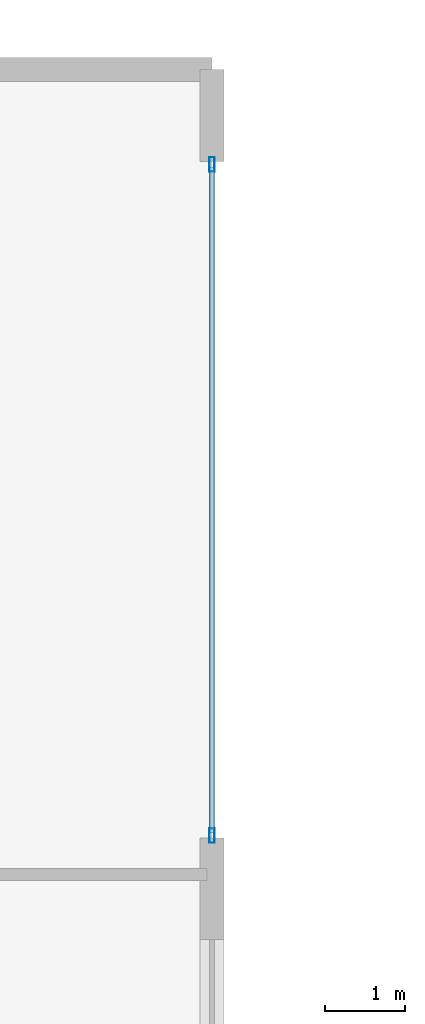
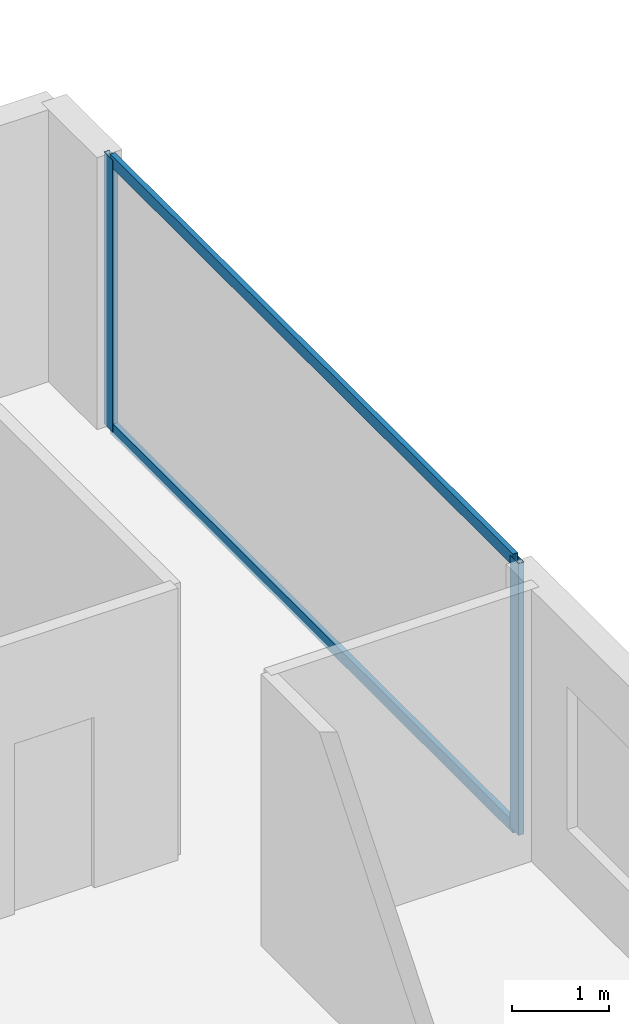
# One storey, part 19 of 28: 4 members, 1 element without a shape of its own.
"""IFC4 building model written with IfcOpenShell, lengths in metres."""

from ifc_helpers import new_model, si_unit, direction, frame, origin, origin_2d, place, context, subcontext, project, spatial, hollow_rectangle, extrude, material, layer, layer_set, material_profile, profile_set, type_object, element, aggregate, save


model = new_model("IFC4")

# Units and contexts
model_context = context("Model", 3, precision=1e-05, world=origin(), true_north=direction((0.0, 1.0)))
body_context = subcontext(model_context, "Body", "Model", "MODEL_VIEW")
ifc_project = project(units=[si_unit("LENGTHUNIT", "METRE"), si_unit("AREAUNIT", "SQUARE_METRE"), si_unit("VOLUMEUNIT", "CUBIC_METRE"), si_unit("PLANEANGLEUNIT", "RADIAN"), si_unit("MASSUNIT", "GRAM", prefix="KILO")], contexts=[model_context])

# Site, building, storey
site_placement = place(None, origin())
site = spatial("IfcSite", under=ifc_project, at=site_placement, CompositionType="ELEMENT")
building_placement = place(site_placement, origin())
building = spatial("IfcBuilding", under=site, at=building_placement, Name="Zuhayl Quay Hotel", CompositionType="ELEMENT")
storey_placement = place(building_placement, frame((0.0, 0.0, 110.25)))
storey = spatial("IfcBuildingStorey", under=building, at=storey_placement, Name="L27", CompositionType="ELEMENT", Elevation=110.25)

# Curtain wall, members
ifc_material_1 = material(Name="Anodised Aluminium 6063-T6", Category="aluminium")
ifc_layer = layer(ifc_material_1, 0.179931640625, Name="Anodised Aluminium 6063-T6", Category="aluminium")
ifc_layer_set = layer_set([ifc_layer], Name="Anodised Aluminium 6063-T6")
curtain_wall_type = type_object("IfcCurtainWallType", Name="CW_SYS_Z2", PredefinedType="USERDEFINED", material=ifc_layer_set)
curtain_wall_placement = place(storey_placement, origin())
curtain_wall = element("IfcCurtainWall", 1, at=curtain_wall_placement, inside=storey, type_object=curtain_wall_type, Name="L27 Curtain Wall ENV_L27_E11_CW1", ObjectType="UNITISED CURTAIN WALL", PredefinedType="USERDEFINED")
ifc_material_2 = material(Name="Black-anodised aluminium 6063-T6", Category="aluminium")
ifc_material_profile_1 = material_profile(ifc_material_2, hollow_rectangle(XDim=0.06494140625, YDim=0.179931640625, WallThickness=0.00341796875, at=origin_2d()), Name="ALU180X65")
ifc_profile_set_1 = profile_set([ifc_material_profile_1], Name="Black-anodised aluminium 6063-T6")
member_type_1 = type_object("IfcMemberType", Name="MB_CW_MUL_180", PredefinedType="MULLION", material=ifc_profile_set_1)
member_1_placement = place(storey_placement, frame((23.89990234375, 23.717529296875, 0.0), z_axis=(0.0, 0.0, 1.0), x_axis=(1.0, 0.0, 0.0)))
member_1 = element("IfcMember", 2, at=member_1_placement, type_object=member_type_1, Name="CW-Z2 mullion 1", PredefinedType="MULLION", context=body_context, shape_type="SweptSolid", body=[
    extrude(hollow_rectangle(XDim=0.06494140625, YDim=0.179931640625, WallThickness=0.00341796875, at=origin_2d()), origin(), (0.0, 0.0, 1.0), 3.429931640625),
])
member_2_placement = place(storey_placement, frame((23.89990234375, 15.33251953125, 0.0), z_axis=(0.0, 0.0, 1.0), x_axis=(1.0, 0.0, 0.0)))
member_2 = element("IfcMember", 3, at=member_2_placement, type_object=member_type_1, Name="CW-Z2 mullion 2", PredefinedType="MULLION", context=body_context, shape_type="SweptSolid", body=[
    extrude(hollow_rectangle(XDim=0.06494140625, YDim=0.179931640625, WallThickness=0.00341796875, at=origin_2d()), origin(), (0.0, 0.0, 1.0), 3.429931640625),
])
ifc_material_profile_2 = material_profile(ifc_material_2, hollow_rectangle(XDim=0.06005859375, YDim=0.14990234375, WallThickness=0.00341796875, at=origin_2d()), Name="ALU150X60")
ifc_profile_set_2 = profile_set([ifc_material_profile_2], Name="Black-anodised aluminium 6063-T6")
member_type_2 = type_object("IfcMemberType", Name="MB_CW_TRN_150", PredefinedType="USERDEFINED", material=ifc_profile_set_2)
member_3_placement = place(storey_placement, frame((23.89990234375, 23.68505859375, 0.030029296875), z_axis=(0.0, -1.0, 0.0), x_axis=(1.0, 0.0, 0.0)))
member_3 = element("IfcMember", 4, at=member_3_placement, type_object=member_type_2, Name="CW-Z2 transom 1.1", ObjectType="TRANSOM", PredefinedType="USERDEFINED", context=body_context, shape_type="SweptSolid", body=[
    extrude(hollow_rectangle(XDim=0.06005859375, YDim=0.14990234375, WallThickness=0.00341796875, at=origin_2d()), origin(), (0.0, 0.0, 1.0), 8.320068359375),
])
member_4_placement = place(storey_placement, frame((23.89990234375, 23.68505859375, 3.39990234375), z_axis=(0.0, -1.0, 0.0), x_axis=(1.0, 0.0, 0.0)))
member_4 = element("IfcMember", 5, at=member_4_placement, type_object=member_type_2, Name="CW-Z2 transom 1.2", ObjectType="TRANSOM", PredefinedType="USERDEFINED", context=body_context, shape_type="SweptSolid", body=[
    extrude(hollow_rectangle(XDim=0.06005859375, YDim=0.14990234375, WallThickness=0.00341796875, at=origin_2d()), origin(), (0.0, 0.0, 1.0), 8.320068359375),
])
aggregate(curtain_wall, [member_1, member_2, member_3, member_4])

save(model, "model.ifc")
